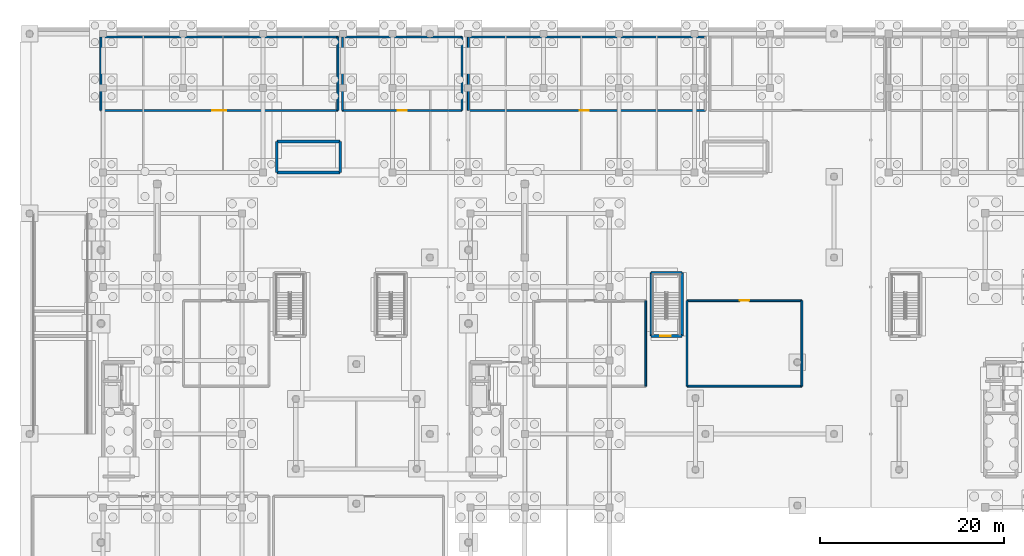
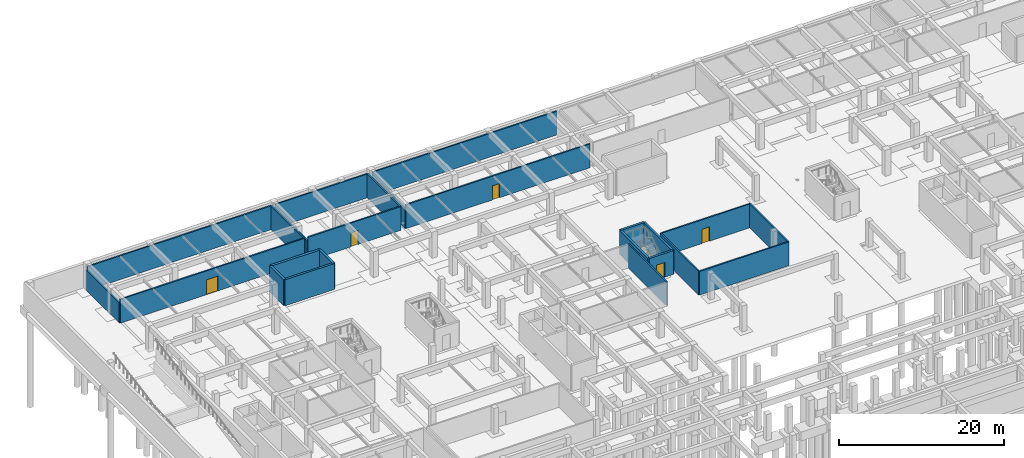
# One storey, part 20 of 35: 24 walls, 5 doors, 5 openings.
"""IFC4 building model written with IfcOpenShell, lengths in metres."""

import ifcopenshell
import ifcopenshell.guid

model = None  # the IFC model being written
_history = None  # IfcOwnerHistory: only IFC2X3 demands one
_inside = {}  # id of a spatial element -> (the spatial element, [elements in it])
_under = {}  # id of a project, library or spatial element -> (it, [spatial elements below it])
_declared = {}  # id of a project -> (the project, [libraries it declares])
_typed = {}  # id of a type object -> (the type object, [elements of that type])
_made_of = {}  # id of a material, layer set ... -> (it, [elements and type objects made of it])


def new_model(schema):
    """Start an empty IFC model of exactly this schema.

    Asked for "IFC4X3", IfcOpenShell would pick the latest addendum, in which some entities
    have other attributes; the version numbers below select the first issue.
    IFC2X3 requires an IfcOwnerHistory on every rooted entity: one is made here for all.
    """
    global model, _history
    if schema == "IFC4X3":
        model = ifcopenshell.file(schema_version=(4, 3, 0, 0))
    else:
        model = ifcopenshell.file(schema=schema)
    _inside.clear()
    _under.clear()
    _declared.clear()
    _typed.clear()
    _made_of.clear()
    _history = None
    if model.schema == "IFC2X3":
        org = make("IfcOrganization", Name="unknown")
        user = make(
            "IfcPersonAndOrganization",
            ThePerson=make("IfcPerson", FamilyName="unknown"),
            TheOrganization=org,
        )
        app = make(
            "IfcApplication",
            ApplicationDeveloper=org,
            Version="unknown",
            ApplicationFullName="unknown",
            ApplicationIdentifier="unknown",
        )
        _history = make(
            "IfcOwnerHistory",
            OwningUser=user,
            OwningApplication=app,
            ChangeAction="ADDED",
            CreationDate=0,
        )
    return model


def make(cls, **values):
    """One entity of the class cls with the attributes given. An attribute that is None is left unset."""
    return model.create_entity(
        cls, **{name: value for name, value in values.items() if value is not None}
    )


def rooted(cls, **values):
    """An entity with a GlobalId (a new one), such as an element, a storey or a relation."""
    return make(cls, GlobalId=ifcopenshell.guid.new(), OwnerHistory=_history, **values)


def si_unit(unit_type, name, prefix=None):
    """IfcSIUnit, for example si_unit("LENGTHUNIT", "METRE", prefix="MILLI")."""
    return make("IfcSIUnit", UnitType=unit_type, Prefix=prefix, Name=name)


def assignment(units):
    """IfcUnitAssignment: the units of a project."""
    return None if units is None else make("IfcUnitAssignment", Units=units)


def point(xyz):
    """IfcCartesianPoint."""
    return None if xyz is None else make("IfcCartesianPoint", Coordinates=xyz)


def direction(xyz):
    """IfcDirection."""
    return None if xyz is None else make("IfcDirection", DirectionRatios=xyz)


def frame(location, z_axis=None, x_axis=None):
    """IfcAxis2Placement3D, a coordinate frame: its origin and axes. An axis left out is left unset."""
    return make(
        "IfcAxis2Placement3D",
        Location=point(location),
        Axis=direction(z_axis),
        RefDirection=direction(x_axis),
    )


def frame_2d(location, x_axis=None):
    """IfcAxis2Placement2D, a coordinate frame in the plane: its origin and x axis."""
    return make(
        "IfcAxis2Placement2D", Location=point(location), RefDirection=direction(x_axis)
    )


def origin():
    """The frame at (0, 0, 0) with its axes left unset."""
    return frame((0.0, 0.0, 0.0))


def place(relative_to, where):
    """IfcLocalPlacement: puts the frame where relative to a parent placement (None: the world)."""
    return make(
        "IfcLocalPlacement", PlacementRelTo=relative_to, RelativePlacement=where
    )


def context(
    kind, dimensions, precision=None, world=None, true_north=None, identifier=None
):
    """IfcGeometricRepresentationContext, for example the 3D "Model" context."""
    return make(
        "IfcGeometricRepresentationContext",
        ContextIdentifier=identifier,
        ContextType=kind,
        CoordinateSpaceDimension=dimensions,
        Precision=precision,
        WorldCoordinateSystem=world,
        TrueNorth=true_north,
    )


def subcontext(parent, identifier, kind, view, scale=None):
    """IfcGeometricRepresentationSubContext, for example "Body" below "Model"."""
    return make(
        "IfcGeometricRepresentationSubContext",
        ContextIdentifier=identifier,
        ContextType=kind,
        ParentContext=parent,
        TargetScale=scale,
        TargetView=view,
    )


def project(units=None, contexts=None):
    """IfcProject with its units and contexts."""
    return rooted(
        "IfcProject",
        Name="project",
        RepresentationContexts=contexts,
        UnitsInContext=assignment(units),
    )


def spatial(cls, under=None, at=None, **own):
    """A site, building, storey or space (cls), placed at a placement, below another one or the project."""
    s = rooted(cls, ObjectPlacement=at, **own)
    if under is not None:
        _under.setdefault(under.id(), (under, []))[1].append(s)
    return s


def profile(cls, at=None, kind="AREA", **sizes):
    """A parametric profile (cls). Its sizes go by their IFC names, for example OverallWidth=200.0."""
    return make(cls, ProfileType=kind, Position=at, **sizes)


def rectangle(**sizes):
    """IfcRectangleProfileDef."""
    return profile("IfcRectangleProfileDef", **sizes)


def extrude(swept, where, along, depth):
    """IfcExtrudedAreaSolid: the profile swept, set in the frame where, extruded along a direction by depth."""
    return make(
        "IfcExtrudedAreaSolid",
        SweptArea=swept,
        Position=where,
        ExtrudedDirection=direction(along),
        Depth=depth,
    )


def shape(context_of_items, identifier, shape_type, items):
    """IfcShapeRepresentation: the items that make up one representation, for example the "Body"."""
    return make(
        "IfcShapeRepresentation",
        ContextOfItems=context_of_items,
        RepresentationIdentifier=identifier,
        RepresentationType=shape_type,
        Items=items,
    )


def material(Name=None, Category=None):
    """IfcMaterial."""
    return make("IfcMaterial", Name=Name, Category=Category)


def layer(
    of_material, thickness, ventilated=None, Name=None, Category=None, Priority=None
):
    """IfcMaterialLayer: one layer of a wall or slab, of a material (None: an air gap)."""
    return make(
        "IfcMaterialLayer",
        Material=of_material,
        LayerThickness=thickness,
        IsVentilated=ventilated,
        Name=Name,
        Category=Category,
        Priority=Priority,
    )


def layer_set(layers, Name=None):
    """IfcMaterialLayerSet."""
    return make("IfcMaterialLayerSet", MaterialLayers=layers, LayerSetName=Name)


def made_of(thing, what):
    """Note that an element or type object is made of a material, layer set ...; save() writes the relation."""
    if what is not None:
        _made_of.setdefault(what.id(), (what, []))[1].append(thing)
    return thing


def type_object(cls, material=None, **own):
    """A type object (cls), such as IfcWallType, which elements share."""
    return made_of(rooted(cls, **own), material)


def element(
    cls,
    number,
    at=None,
    inside=None,
    cuts=None,
    type_object=None,
    material=None,
    context=None,
    identifier="Body",
    shape_type=None,
    held_by="IfcProductDefinitionShape",
    body=None,
    shapes=None,
    **own,
):
    """One element of the class cls, such as IfcWall. Its Tag is "e" and its number.

    at: its placement. inside: the storey or other place that contains it. cuts: it is an
    opening in that element (IfcRelVoidsElement). A single representation is given by context,
    identifier, shape_type and body (its items); several are given by shapes. held_by: the class
    of the entity that holds the representations. save() writes the other relations.
    """
    e = rooted(cls, Tag="e%d" % number, ObjectPlacement=at, **own)
    if body is not None:
        shapes = [shape(context, identifier, shape_type, body)]
    if shapes is not None:
        e.Representation = make(held_by, Representations=shapes)
    if inside is not None:
        _inside.setdefault(inside.id(), (inside, []))[1].append(e)
    if cuts is not None:
        rooted(
            "IfcRelVoidsElement", RelatingBuildingElement=cuts, RelatedOpeningElement=e
        )
    if type_object is not None:
        _typed.setdefault(type_object.id(), (type_object, []))[1].append(e)
    return made_of(e, material)


def fill(opening, filler):
    """IfcRelFillsElement: the door or window that sits in an opening."""
    return rooted(
        "IfcRelFillsElement",
        RelatingOpeningElement=opening,
        RelatedBuildingElement=filler,
    )


def aggregate(whole, parts):
    """IfcRelAggregates: a whole, such as a stair, and the parts it consists of."""
    return rooted("IfcRelAggregates", RelatingObject=whole, RelatedObjects=parts)


def save(model, path):
    """Write the relations noted so far, then the file.

    IfcRelAggregates (storeys below a building ...), IfcRelContainedInSpatialStructure (elements
    in a storey), IfcRelDefinesByType, IfcRelAssociatesMaterial and IfcRelDeclares: one each for
    every whole, place, type object, material and project.
    """
    for whole, parts in _under.values():
        aggregate(whole, parts)
    for where, things in _inside.values():
        rooted(
            "IfcRelContainedInSpatialStructure",
            RelatedElements=things,
            RelatingStructure=where,
        )
    for kind, things in _typed.values():
        rooted("IfcRelDefinesByType", RelatedObjects=things, RelatingType=kind)
    for what, things in _made_of.values():
        rooted("IfcRelAssociatesMaterial", RelatedObjects=things, RelatingMaterial=what)
    for by, libraries in _declared.values():
        rooted("IfcRelDeclares", RelatingContext=by, RelatedDefinitions=libraries)
    model.write(path)


model = new_model("IFC4")

# Units and contexts
model_context = context("Model", 3, precision=1e-05, world=origin(), true_north=direction((0.0, 1.0)))
body_context = subcontext(model_context, "Body", "Model", "MODEL_VIEW")
ifc_project = project(units=[si_unit("LENGTHUNIT", "METRE"), si_unit("AREAUNIT", "SQUARE_METRE"), si_unit("VOLUMEUNIT", "CUBIC_METRE"), si_unit("PLANEANGLEUNIT", "RADIAN"), si_unit("MASSUNIT", "GRAM", prefix="KILO")], contexts=[model_context])

# Site, building, storey
site_placement = place(None, origin())
site = spatial("IfcSite", under=ifc_project, at=site_placement, CompositionType="ELEMENT")
building_placement = place(site_placement, origin())
building = spatial("IfcBuilding", under=site, at=building_placement, Name="Keldmere Railside Commons", CompositionType="ELEMENT")
storey_placement = place(building_placement, frame((0.0, 0.0, -3.840087890625)))
storey = spatial("IfcBuildingStorey", under=building, at=storey_placement, Name="B1", CompositionType="ELEMENT", Elevation=-3.840087890625)

# Wall, opening, door
ifc_material_1 = material(Name="Concrete H-35 (C35/45)", Category="concrete")
ifc_layer_1 = layer(ifc_material_1, 0.300048828125, Name="Interior Shear Wall 300")
ifc_layer_set_1 = layer_set([ifc_layer_1], Name="Concrete H-35 (C35/45)")
wall_type_1 = type_object("IfcWallType", Name="Interior Shear Wall 300", PredefinedType="SHEAR", material=ifc_layer_set_1)
wall_1_placement = place(storey_placement, frame((71.449951171875, 82.64990234375, 0.0), z_axis=(0.0, 0.0, 1.0), x_axis=(-1.0, 0.0, 0.0)))
wall_1 = element("IfcWall", 1, at=wall_1_placement, inside=storey, type_object=wall_type_1, Name="ISW-2 WAL-ST-B3-B1-S", PredefinedType="SHEAR", context=body_context, shape_type="SweptSolid", body=[
    extrude(rectangle(XDim=3.349853515625, YDim=0.300048828125, at=frame_2d((1.6748046875, 0.0))), origin(), (0.0, 0.0, 1.0), 3.52001953125),
])
opening_1_placement = place(wall_1_placement, frame((1.199951171875, 0.0, 0.0)))
opening_1 = element("IfcOpeningElement", 2, at=opening_1_placement, cuts=wall_1, Name="Opening FD-5", PredefinedType="OPENING", context=body_context, shape_type="SweptSolid", body=[
    extrude(rectangle(XDim=1.14990234375, YDim=2.199951171875, at=frame_2d((0.574951171875, 1.10009765625))), frame((0.0, 0.159912109375, 0.0), z_axis=(0.0, -1.0, 0.0), x_axis=(1.0, 0.0, 0.0)), (0.0, 0.0, 1.0), 0.320068359375),
])
ifc_material_2 = material(Name="Steel F-24 (S235)", Category="steel")
door_type_1 = type_object("IfcDoorType", Name="Basement Garage Vestibule Fire Door 1150x2200", OperationType="NOTDEFINED", PredefinedType="DOOR", material=ifc_material_2)
door_1_placement = place(opening_1_placement, origin())
door_1 = element("IfcDoor", 3, at=door_1_placement, inside=storey, type_object=door_type_1, Name="FD-5 ST-B3 B1", OperationType="SINGLE_SWING_LEFT", OverallHeight=2.199951171875, OverallWidth=1.14990234375, PredefinedType="DOOR", context=body_context, shape_type="SweptSolid", body=[
    extrude(rectangle(XDim=1.14990234375, YDim=2.199951171875, at=frame_2d((0.574951171875, 1.10009765625))), frame((0.0, 0.02490234375, 0.0), z_axis=(0.0, -1.0, 0.0), x_axis=(1.0, 0.0, 0.0)), (0.0, 0.0, 1.0), 0.050048828125),
])
fill(opening_1, door_1)

# Walls
wall_2_placement = place(storey_placement, frame((68.10009765625, 82.64990234375, 0.0), z_axis=(0.0, 0.0, 1.0), x_axis=(0.0, 1.0, 0.0)))
element("IfcWall", 4, at=wall_2_placement, inside=storey, type_object=wall_type_1, Name="ISW-2 WAL-ST-B3-B1-W", PredefinedType="SHEAR", context=body_context, shape_type="SweptSolid", body=[
    extrude(rectangle(XDim=6.900146484375, YDim=0.300048828125, at=frame_2d((3.4501953125, 0.0))), origin(), (0.0, 0.0, 1.0), 3.52001953125),
])
wall_3_placement = place(storey_placement, frame((68.10009765625, 89.550048828125, 0.0), z_axis=(0.0, 0.0, 1.0), x_axis=(1.0, 0.0, 0.0)))
element("IfcWall", 5, at=wall_3_placement, inside=storey, type_object=wall_type_1, Name="ISW-2 WAL-ST-B3-B1-N", PredefinedType="SHEAR", context=body_context, shape_type="SweptSolid", body=[
    extrude(rectangle(XDim=3.349853515625, YDim=0.300048828125, at=frame_2d((1.6748046875, 0.0))), origin(), (0.0, 0.0, 1.0), 3.52001953125),
])
wall_4_placement = place(storey_placement, frame((71.449951171875, 89.550048828125, 0.0), z_axis=(0.0, 0.0, 1.0), x_axis=(0.0, -1.0, 0.0)))
element("IfcWall", 6, at=wall_4_placement, inside=storey, type_object=wall_type_1, Name="ISW-2 WAL-ST-B3-B1-E", PredefinedType="SHEAR", context=body_context, shape_type="SweptSolid", body=[
    extrude(rectangle(XDim=6.900146484375, YDim=0.300048828125, at=frame_2d((3.4501953125, 0.0))), origin(), (0.0, 0.0, 1.0), 3.52001953125),
])
wall_5_placement = place(storey_placement, frame((27.35009765625, 100.449951171875, 0.0), z_axis=(0.0, 0.0, 1.0), x_axis=(1.0, 0.0, 0.0)))
element("IfcWall", 7, at=wall_5_placement, inside=storey, type_object=wall_type_1, Name="ISW-2 CORED2S-B1-0023", PredefinedType="SHEAR", context=body_context, shape_type="SweptSolid", body=[
    extrude(rectangle(XDim=6.89990234375, YDim=0.300048828125, at=frame_2d((3.449951171875, 0.0))), origin(), (0.0, 0.0, 1.0), 3.840087890625),
])
for number, where, z_axis, x_axis, name in (
    (8, (27.35009765625, 103.820068359375, 0.0), (0.0, 0.0, 1.0), (0.0, -1.0, 0.0), "ISW-2 CORED2W-B1-0025"),
    (9, (34.25, 100.449951171875, 0.0), (0.0, 0.0, 1.0), (0.0, 1.0, 0.0), "ISW-2 CORED2E-B1-0026"),
):
    element("IfcWall", number, at=place(storey_placement, frame(where, z_axis=z_axis, x_axis=x_axis)), inside=storey, type_object=wall_type_1, Name=name, PredefinedType="SHEAR", context=body_context, shape_type="SweptSolid", body=[
        extrude(rectangle(XDim=3.3701171875, YDim=0.300048828125, at=frame_2d((1.68505859375, 0.0))), origin(), (0.0, 0.0, 1.0), 3.840087890625),
    ])
ifc_layer_2 = layer(ifc_material_1, 0.340087890625, Name="Interior Shear Wall 340")
ifc_layer_set_2 = layer_set([ifc_layer_2], Name="Concrete H-35 (C35/45)")
wall_type_2 = type_object("IfcWallType", Name="Interior Shear Wall 340", PredefinedType="SHEAR", material=ifc_layer_set_2)
wall_6_placement = place(storey_placement, frame((34.25, 103.820068359375, 0.0), z_axis=(0.0, 0.0, 1.0), x_axis=(-1.0, 0.0, 0.0)))
element("IfcWall", 10, at=wall_6_placement, inside=storey, type_object=wall_type_2, Name="ISW-1 CORED2N-B1-0024", PredefinedType="SHEAR", context=body_context, shape_type="SweptSolid", body=[
    extrude(rectangle(XDim=6.89990234375, YDim=0.340087890625, at=frame_2d((3.449951171875, 0.0))), origin(), (0.0, 0.0, 1.0), 3.840087890625),
])

# Wall, opening, door
ifc_material_3 = material(Name="Terracotta Brick Masonry", Category="masonry")
ifc_layer_3 = layer(ifc_material_3, 0.199951171875, Name="Plant Masonry Infill Wall 200")
ifc_layer_set_3 = layer_set([ifc_layer_3], Name="Terracotta Brick Masonry")
wall_type_3 = type_object("IfcWallType", Name="Plant Masonry Infill Wall 200", PredefinedType="SOLIDWALL", material=ifc_layer_set_3)
wall_7_placement = place(storey_placement, frame((8.199951171875, 107.199951171875, 0.0), z_axis=(0.0, 0.0, 1.0), x_axis=(1.0, 0.0, 0.0)))
wall_7 = element("IfcWall", 11, at=wall_7_placement, inside=storey, type_object=wall_type_3, Name="MW-1 IW-B1-0001", PredefinedType="SOLIDWALL", context=body_context, shape_type="SweptSolid", body=[
    extrude(rectangle(XDim=25.800048828125, YDim=0.199951171875, at=frame_2d((12.89990234375, 0.0))), origin(), (0.0, 0.0, 1.0), 3.52001953125),
])
opening_2_placement = place(wall_7_placement, frame((12.10009765625, 0.0, 0.0)))
opening_2 = element("IfcOpeningElement", 12, at=opening_2_placement, cuts=wall_7, Name="Opening ID-16", PredefinedType="OPENING", context=body_context, shape_type="SweptSolid", body=[
    extrude(rectangle(XDim=1.550048828125, YDim=2.199951171875, at=frame_2d((0.77490234375, 1.10009765625))), frame((0.0, 0.10986328125, 0.0), z_axis=(0.0, -1.0, 0.0), x_axis=(1.0, 0.0, 0.0)), (0.0, 0.0, 1.0), 0.219970703125),
])
door_type_2 = type_object("IfcDoorType", Name="Bicycle Hub Double Swing Door 1550x2200", OperationType="DOUBLE_DOOR_SINGLE_SWING", PredefinedType="DOOR", material=ifc_material_2)
door_2_placement = place(opening_2_placement, origin())
door_2 = element("IfcDoor", 13, at=door_2_placement, inside=storey, type_object=door_type_2, Name="ID-16 IDR-B1-0001", OperationType="DOUBLE_DOOR_SINGLE_SWING", OverallHeight=2.199951171875, OverallWidth=1.550048828125, PredefinedType="DOOR", context=body_context, shape_type="SweptSolid", body=[
    extrude(rectangle(XDim=1.550048828125, YDim=2.199951171875, at=frame_2d((0.77490234375, 1.10009765625))), frame((0.0, 0.02490234375, 0.0), z_axis=(0.0, -1.0, 0.0), x_axis=(1.0, 0.0, 0.0)), (0.0, 0.0, 1.0), 0.050048828125),
])
fill(opening_2, door_2)

# Walls
wall_8_placement = place(storey_placement, frame((34.0, 107.199951171875, 0.0), z_axis=(0.0, 0.0, 1.0), x_axis=(0.0, 1.0, 0.0)))
element("IfcWall", 14, at=wall_8_placement, inside=storey, type_object=wall_type_3, Name="MW-1 IW-B1-0002", PredefinedType="SOLIDWALL", context=body_context, shape_type="SweptSolid", body=[
    extrude(rectangle(XDim=8.0, YDim=0.199951171875, at=frame_2d((4.0, 0.0))), origin(), (0.0, 0.0, 1.0), 3.52001953125),
])
wall_9_placement = place(storey_placement, frame((34.0, 115.199951171875, 0.0), z_axis=(0.0, 0.0, 1.0), x_axis=(-1.0, 0.0, 0.0)))
element("IfcWall", 15, at=wall_9_placement, inside=storey, type_object=wall_type_3, Name="MW-1 IW-B1-0003", PredefinedType="SOLIDWALL", context=body_context, shape_type="SweptSolid", body=[
    extrude(rectangle(XDim=25.800048828125, YDim=0.199951171875, at=frame_2d((12.89990234375, 0.0))), origin(), (0.0, 0.0, 1.0), 3.52001953125),
])
wall_10_placement = place(storey_placement, frame((8.199951171875, 115.199951171875, 0.0), z_axis=(0.0, 0.0, 1.0), x_axis=(0.0, -1.0, 0.0)))
element("IfcWall", 16, at=wall_10_placement, inside=storey, type_object=wall_type_3, Name="MW-1 IW-B1-0004", PredefinedType="SOLIDWALL", context=body_context, shape_type="SweptSolid", body=[
    extrude(rectangle(XDim=8.0, YDim=0.199951171875, at=frame_2d((4.0, 0.0))), origin(), (0.0, 0.0, 1.0), 3.02001953125),
])

# Wall, opening, door
wall_11_placement = place(storey_placement, frame((48.199951171875, 107.199951171875, 0.0), z_axis=(0.0, 0.0, 1.0), x_axis=(1.0, 0.0, 0.0)))
wall_11 = element("IfcWall", 17, at=wall_11_placement, inside=storey, type_object=wall_type_3, Name="MW-1 IW-B1-0005", PredefinedType="SOLIDWALL", context=body_context, shape_type="SweptSolid", body=[
    extrude(rectangle(XDim=25.800048828125, YDim=0.199951171875, at=frame_2d((12.89990234375, 0.0))), origin(), (0.0, 0.0, 1.0), 3.52001953125),
])
opening_3_placement = place(wall_11_placement, frame((12.10009765625, 0.0, 0.0)))
opening_3 = element("IfcOpeningElement", 18, at=opening_3_placement, cuts=wall_11, Name="Opening FD-9", PredefinedType="OPENING", context=body_context, shape_type="SweptSolid", body=[
    extrude(rectangle(XDim=1.0, YDim=2.10009765625, at=frame_2d((0.5, 1.050048828125))), frame((0.0, 0.10986328125, 0.0), z_axis=(0.0, -1.0, 0.0), x_axis=(1.0, 0.0, 0.0)), (0.0, 0.0, 1.0), 0.219970703125),
])
door_type_3 = type_object("IfcDoorType", Name="Waste & Storage Fire Door 1000x2100", OperationType="NOTDEFINED", PredefinedType="DOOR", material=ifc_material_2)
door_3_placement = place(opening_3_placement, origin())
door_3 = element("IfcDoor", 19, at=door_3_placement, inside=storey, type_object=door_type_3, Name="FD-9 IDR-B1-0002", OperationType="SINGLE_SWING_RIGHT", OverallHeight=2.10009765625, OverallWidth=1.0, PredefinedType="DOOR", context=body_context, shape_type="SweptSolid", body=[
    extrude(rectangle(XDim=1.0, YDim=2.10009765625, at=frame_2d((0.5, 1.050048828125))), frame((0.0, 0.02490234375, 0.0), z_axis=(0.0, -1.0, 0.0), x_axis=(1.0, 0.0, 0.0)), (0.0, 0.0, 1.0), 0.050048828125),
])
fill(opening_3, door_3)

# Walls
wall_12_placement = place(storey_placement, frame((74.0, 115.199951171875, 0.0), z_axis=(0.0, 0.0, 1.0), x_axis=(-1.0, 0.0, 0.0)))
element("IfcWall", 20, at=wall_12_placement, inside=storey, type_object=wall_type_3, Name="MW-1 IW-B1-0007", PredefinedType="SOLIDWALL", context=body_context, shape_type="SweptSolid", body=[
    extrude(rectangle(XDim=25.800048828125, YDim=0.199951171875, at=frame_2d((12.89990234375, 0.0))), origin(), (0.0, 0.0, 1.0), 3.52001953125),
])
wall_13_placement = place(storey_placement, frame((48.199951171875, 115.199951171875, 0.0), z_axis=(0.0, 0.0, 1.0), x_axis=(0.0, -1.0, 0.0)))
element("IfcWall", 21, at=wall_13_placement, inside=storey, type_object=wall_type_3, Name="MW-1 IW-B1-0008", PredefinedType="SOLIDWALL", context=body_context, shape_type="SweptSolid", body=[
    extrude(rectangle(XDim=8.0, YDim=0.199951171875, at=frame_2d((4.0, 0.0))), origin(), (0.0, 0.0, 1.0), 3.02001953125),
])
wall_14_placement = place(storey_placement, frame((67.5, 77.199951171875, 0.0), z_axis=(0.0, 0.0, 1.0), x_axis=(0.0, 1.0, 0.0)))
element("IfcWall", 22, at=wall_14_placement, inside=storey, type_object=wall_type_3, Name="MW-1 IW-B1-0038", PredefinedType="SOLIDWALL", context=body_context, shape_type="SweptSolid", body=[
    extrude(rectangle(XDim=9.300048828125, YDim=0.199951171875, at=frame_2d((4.64990234375, 0.0))), origin(), (0.0, 0.0, 1.0), 3.52001953125),
])
wall_15_placement = place(storey_placement, frame((72.0, 77.199951171875, 0.0), z_axis=(0.0, 0.0, 1.0), x_axis=(1.0, 0.0, 0.0)))
element("IfcWall", 23, at=wall_15_placement, inside=storey, type_object=wall_type_3, Name="MW-1 IW-B1-0041", PredefinedType="SOLIDWALL", context=body_context, shape_type="SweptSolid", body=[
    extrude(rectangle(XDim=12.5, YDim=0.199951171875, at=frame_2d((6.25, 0.0))), origin(), (0.0, 0.0, 1.0), 3.52001953125),
])
wall_16_placement = place(storey_placement, frame((84.5, 77.199951171875, 0.0), z_axis=(0.0, 0.0, 1.0), x_axis=(0.0, 1.0, 0.0)))
element("IfcWall", 24, at=wall_16_placement, inside=storey, type_object=wall_type_3, Name="MW-1 IW-B1-0042", PredefinedType="SOLIDWALL", context=body_context, shape_type="SweptSolid", body=[
    extrude(rectangle(XDim=9.300048828125, YDim=0.199951171875, at=frame_2d((4.64990234375, 0.0))), origin(), (0.0, 0.0, 1.0), 3.52001953125),
])

# Wall, opening, door
wall_17_placement = place(storey_placement, frame((84.5, 86.5, 0.0), z_axis=(0.0, 0.0, 1.0), x_axis=(-1.0, 0.0, 0.0)))
wall_17 = element("IfcWall", 25, at=wall_17_placement, inside=storey, type_object=wall_type_3, Name="MW-1 IW-B1-0043", PredefinedType="SOLIDWALL", context=body_context, shape_type="SweptSolid", body=[
    extrude(rectangle(XDim=12.5, YDim=0.199951171875, at=frame_2d((6.25, 0.0))), origin(), (0.0, 0.0, 1.0), 3.52001953125),
])
opening_4_placement = place(wall_17_placement, frame((5.75, 0.0, 0.0)))
opening_4 = element("IfcOpeningElement", 26, at=opening_4_placement, cuts=wall_17, Name="Opening FD-9", PredefinedType="OPENING", context=body_context, shape_type="SweptSolid", body=[
    extrude(rectangle(XDim=1.0, YDim=2.10009765625, at=frame_2d((0.5, 1.050048828125))), frame((0.0, 0.10986328125, 0.0), z_axis=(0.0, -1.0, 0.0), x_axis=(1.0, 0.0, 0.0)), (0.0, 0.0, 1.0), 0.219970703125),
])
door_4_placement = place(opening_4_placement, origin())
door_4 = element("IfcDoor", 27, at=door_4_placement, inside=storey, type_object=door_type_3, Name="FD-9 IDR-B1-0011", OperationType="SINGLE_SWING_LEFT", OverallHeight=2.10009765625, OverallWidth=1.0, PredefinedType="DOOR", context=body_context, shape_type="SweptSolid", body=[
    extrude(rectangle(XDim=1.0, YDim=2.10009765625, at=frame_2d((0.5, 1.050048828125))), frame((0.0, 0.02490234375, 0.0), z_axis=(0.0, -1.0, 0.0), x_axis=(1.0, 0.0, 0.0)), (0.0, 0.0, 1.0), 0.050048828125),
])
fill(opening_4, door_4)

# Wall
wall_18_placement = place(storey_placement, frame((72.0, 86.5, 0.0), z_axis=(0.0, 0.0, 1.0), x_axis=(0.0, -1.0, 0.0)))
element("IfcWall", 28, at=wall_18_placement, inside=storey, type_object=wall_type_3, Name="MW-1 IW-B1-0044", PredefinedType="SOLIDWALL", context=body_context, shape_type="SweptSolid", body=[
    extrude(rectangle(XDim=9.300048828125, YDim=0.199951171875, at=frame_2d((4.64990234375, 0.0))), origin(), (0.0, 0.0, 1.0), 3.52001953125),
])

# Wall, opening, door
wall_19_placement = place(storey_placement, frame((34.5, 107.199951171875, 0.0), z_axis=(0.0, 0.0, 1.0), x_axis=(1.0, 0.0, 0.0)))
wall_19 = element("IfcWall", 29, at=wall_19_placement, inside=storey, type_object=wall_type_3, Name="MW-1 IW-B1-0053", PredefinedType="SOLIDWALL", context=body_context, shape_type="SweptSolid", body=[
    extrude(rectangle(XDim=13.0, YDim=0.199951171875, at=frame_2d((6.5, 0.0))), origin(), (0.0, 0.0, 1.0), 3.52001953125),
])
opening_5_placement = place(wall_19_placement, frame((6.0, 0.0, 0.0)))
opening_5 = element("IfcOpeningElement", 30, at=opening_5_placement, cuts=wall_19, Name="Opening FD-9", PredefinedType="OPENING", context=body_context, shape_type="SweptSolid", body=[
    extrude(rectangle(XDim=1.0, YDim=2.10009765625, at=frame_2d((0.5, 1.050048828125))), frame((0.0, 0.10986328125, 0.0), z_axis=(0.0, -1.0, 0.0), x_axis=(1.0, 0.0, 0.0)), (0.0, 0.0, 1.0), 0.219970703125),
])
door_5_placement = place(opening_5_placement, origin())
door_5 = element("IfcDoor", 31, at=door_5_placement, inside=storey, type_object=door_type_3, Name="FD-9 IDR-B1-0014", OperationType="SINGLE_SWING_RIGHT", OverallHeight=2.10009765625, OverallWidth=1.0, PredefinedType="DOOR", context=body_context, shape_type="SweptSolid", body=[
    extrude(rectangle(XDim=1.0, YDim=2.10009765625, at=frame_2d((0.5, 1.050048828125))), frame((0.0, 0.02490234375, 0.0), z_axis=(0.0, -1.0, 0.0), x_axis=(1.0, 0.0, 0.0)), (0.0, 0.0, 1.0), 0.050048828125),
])
fill(opening_5, door_5)

# Walls
wall_20_placement = place(storey_placement, frame((47.5, 107.199951171875, 0.0), z_axis=(0.0, 0.0, 1.0), x_axis=(0.0, 1.0, 0.0)))
element("IfcWall", 32, at=wall_20_placement, inside=storey, type_object=wall_type_3, Name="MW-1 IW-B1-0054", PredefinedType="SOLIDWALL", context=body_context, shape_type="SweptSolid", body=[
    extrude(rectangle(XDim=8.0, YDim=0.199951171875, at=frame_2d((4.0, 0.0))), origin(), (0.0, 0.0, 1.0), 3.52001953125),
])
wall_21_placement = place(storey_placement, frame((47.5, 115.199951171875, 0.0), z_axis=(0.0, 0.0, 1.0), x_axis=(-1.0, 0.0, 0.0)))
element("IfcWall", 33, at=wall_21_placement, inside=storey, type_object=wall_type_3, Name="MW-1 IW-B1-0055", PredefinedType="SOLIDWALL", context=body_context, shape_type="SweptSolid", body=[
    extrude(rectangle(XDim=13.0, YDim=0.199951171875, at=frame_2d((6.5, 0.0))), origin(), (0.0, 0.0, 1.0), 3.52001953125),
])
wall_22_placement = place(storey_placement, frame((34.5, 115.199951171875, 0.0), z_axis=(0.0, 0.0, 1.0), x_axis=(0.0, -1.0, 0.0)))
element("IfcWall", 34, at=wall_22_placement, inside=storey, type_object=wall_type_3, Name="MW-1 IW-B1-0056", PredefinedType="SOLIDWALL", context=body_context, shape_type="SweptSolid", body=[
    extrude(rectangle(XDim=8.0, YDim=0.199951171875, at=frame_2d((4.0, 0.0))), origin(), (0.0, 0.0, 1.0), 3.02001953125),
])

save(model, "model.ifc")
